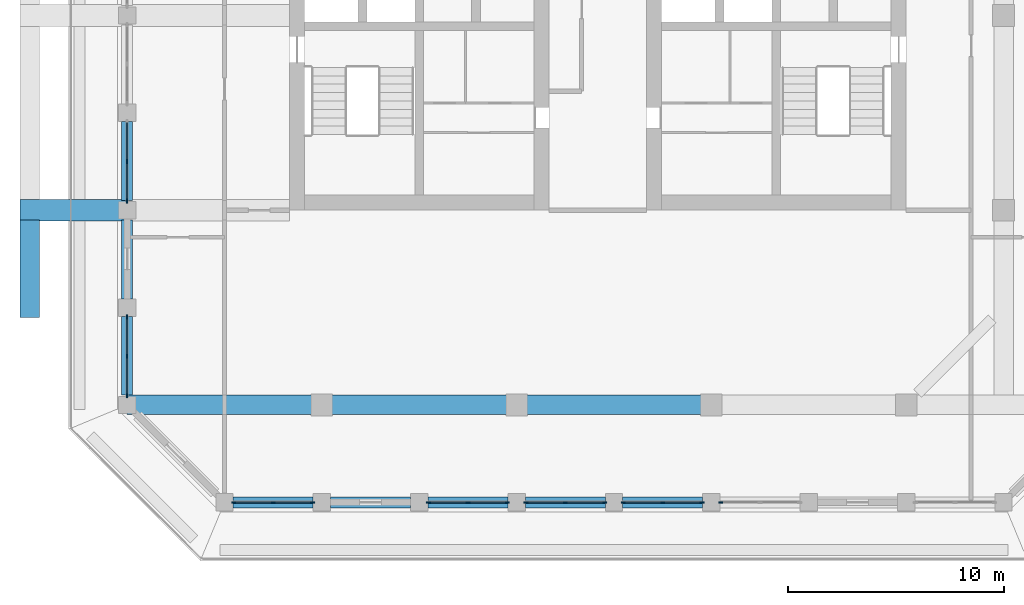
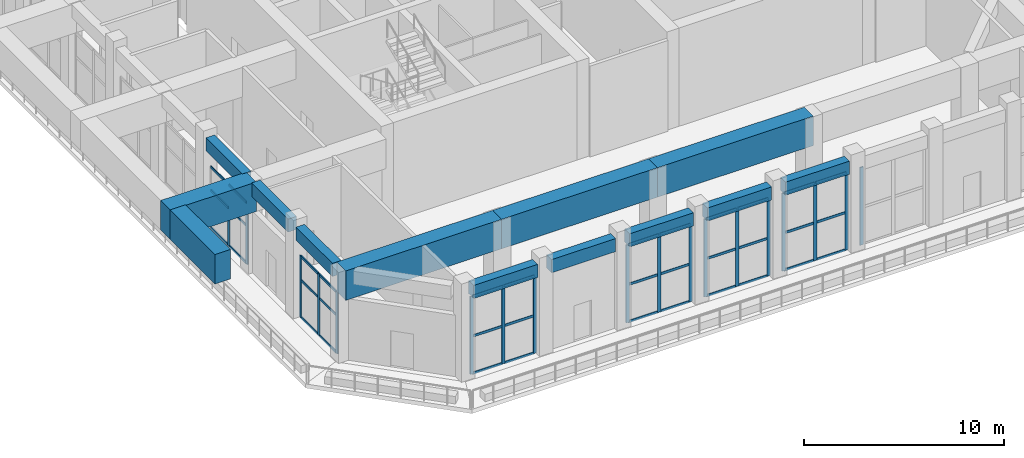
# One storey, part 2 of 25: 54 members, 13 beams, 7 elements without a shape of their own.
"""IFC4 building model written with IfcOpenShell, lengths in metres."""

from ifc_helpers import new_model, si_unit, direction, frame, origin, origin_2d, place, context, subcontext, project, spatial, rectangle, extrude, material, material_profile, profile_set, type_object, element, aggregate, save


model = new_model("IFC4")

# Units and contexts
model_context = context("Model", 3, precision=1e-05, world=origin(), true_north=direction((0.0, 1.0)))
body_context = subcontext(model_context, "Body", "Model", "MODEL_VIEW")
ifc_project = project(units=[si_unit("LENGTHUNIT", "METRE"), si_unit("AREAUNIT", "SQUARE_METRE"), si_unit("VOLUMEUNIT", "CUBIC_METRE"), si_unit("PLANEANGLEUNIT", "RADIAN"), si_unit("MASSUNIT", "GRAM", prefix="KILO")], contexts=[model_context])

# Site, building, storey
site_placement = place(None, origin())
site = spatial("IfcSite", under=ifc_project, at=site_placement, CompositionType="ELEMENT")
building_placement = place(site_placement, origin())
building = spatial("IfcBuilding", under=site, at=building_placement, Name="Corbel Stack Research Tower", CompositionType="ELEMENT")
storey_placement = place(building_placement, frame((0.0, 0.0, 260.300048828125)))
storey = spatial("IfcBuildingStorey", under=building, at=storey_placement, Name="L59", CompositionType="ELEMENT", Elevation=260.300048828125)

# Curtain wall, members
ifc_material_1 = material(Name="Aluminium frame, clear glass", Category="aluminium")
curtain_wall_type = type_object("IfcCurtainWallType", Name="Upper amenity floor curtain wall CW3", PredefinedType="NOTDEFINED", material=ifc_material_1)
curtain_wall_1_placement = place(storey_placement, origin())
curtain_wall_1 = element("IfcCurtainWall", 1, at=curtain_wall_1_placement, inside=storey, type_object=curtain_wall_type, Name="Curtain wall CW3 L59 S01", PredefinedType="NOTDEFINED")
ifc_material_2 = material(Name="Aluminium mullion", Category="aluminium")
ifc_material_profile_1 = material_profile(ifc_material_2, rectangle(XDim=0.06005859375, YDim=0.199951171875, at=origin_2d()), Name="Mullion 60 x 200")
ifc_profile_set_1 = profile_set([ifc_material_profile_1], Name="Aluminium mullion")
member_type_1 = type_object("IfcMemberType", Name="Curtain wall mullion 60 x 200", PredefinedType="MULLION", material=ifc_profile_set_1)
member_1_placement = place(storey_placement, frame((-13.070068359375, -22.5, 0.0), z_axis=(0.0, 0.0, 1.0), x_axis=(0.0, 1.0, 0.0)))
member_1 = element("IfcMember", 2, at=member_1_placement, type_object=member_type_1, Name="CW3 mullion 1", PredefinedType="MULLION", context=body_context, shape_type="SweptSolid", body=[
    extrude(rectangle(XDim=0.06005859375, YDim=0.199951171875, at=origin_2d()), origin(), (0.0, 0.0, 1.0), 4.75),
])
member_2_placement = place(storey_placement, frame((-11.25, -22.5, 0.0), z_axis=(0.0, 0.0, 1.0), x_axis=(0.0, 1.0, 0.0)))
member_2 = element("IfcMember", 3, at=member_2_placement, type_object=member_type_1, Name="CW3 mullion 2", PredefinedType="MULLION", context=body_context, shape_type="SweptSolid", body=[
    extrude(rectangle(XDim=0.06005859375, YDim=0.199951171875, at=origin_2d()), origin(), (0.0, 0.0, 1.0), 4.75),
])
member_3_placement = place(storey_placement, frame((-9.429931640625, -22.5, 0.0), z_axis=(0.0, 0.0, 1.0), x_axis=(0.0, 1.0, 0.0)))
member_3 = element("IfcMember", 4, at=member_3_placement, type_object=member_type_1, Name="CW3 mullion 3", PredefinedType="MULLION", context=body_context, shape_type="SweptSolid", body=[
    extrude(rectangle(XDim=0.06005859375, YDim=0.199951171875, at=origin_2d()), origin(), (0.0, 0.0, 1.0), 4.75),
])

curtain_wall_2_placement = place(storey_placement, origin())
curtain_wall_2 = element("IfcCurtainWall", 5, at=curtain_wall_2_placement, inside=storey, type_object=curtain_wall_type, Name="Curtain wall CW3 L59 S03", PredefinedType="NOTDEFINED")
member_4_placement = place(storey_placement, frame((-4.070068359375, -22.5, 0.0), z_axis=(0.0, 0.0, 1.0), x_axis=(0.0, 1.0, 0.0)))
member_4 = element("IfcMember", 6, at=member_4_placement, type_object=member_type_1, Name="CW3 mullion 1", PredefinedType="MULLION", context=body_context, shape_type="SweptSolid", body=[
    extrude(rectangle(XDim=0.06005859375, YDim=0.199951171875, at=origin_2d()), origin(), (0.0, 0.0, 1.0), 4.75),
])
member_5_placement = place(storey_placement, frame((-2.25, -22.5, 0.0), z_axis=(0.0, 0.0, 1.0), x_axis=(0.0, 1.0, 0.0)))
member_5 = element("IfcMember", 7, at=member_5_placement, type_object=member_type_1, Name="CW3 mullion 2", PredefinedType="MULLION", context=body_context, shape_type="SweptSolid", body=[
    extrude(rectangle(XDim=0.06005859375, YDim=0.199951171875, at=origin_2d()), origin(), (0.0, 0.0, 1.0), 4.75),
])
member_6_placement = place(storey_placement, frame((-0.429931640625, -22.5, 0.0), z_axis=(0.0, 0.0, 1.0), x_axis=(0.0, 1.0, 0.0)))
member_6 = element("IfcMember", 8, at=member_6_placement, type_object=member_type_1, Name="CW3 mullion 3", PredefinedType="MULLION", context=body_context, shape_type="SweptSolid", body=[
    extrude(rectangle(XDim=0.06005859375, YDim=0.199951171875, at=origin_2d()), origin(), (0.0, 0.0, 1.0), 4.75),
])

curtain_wall_3_placement = place(storey_placement, origin())
curtain_wall_3 = element("IfcCurtainWall", 9, at=curtain_wall_3_placement, inside=storey, type_object=curtain_wall_type, Name="Curtain wall CW3 L59 S04", PredefinedType="NOTDEFINED")
member_7_placement = place(storey_placement, frame((0.429931640625, -22.5, 0.0), z_axis=(0.0, 0.0, 1.0), x_axis=(0.0, 1.0, 0.0)))
member_7 = element("IfcMember", 10, at=member_7_placement, type_object=member_type_1, Name="CW3 mullion 1", PredefinedType="MULLION", context=body_context, shape_type="SweptSolid", body=[
    extrude(rectangle(XDim=0.06005859375, YDim=0.199951171875, at=origin_2d()), origin(), (0.0, 0.0, 1.0), 4.75),
])
member_8_placement = place(storey_placement, frame((2.25, -22.5, 0.0), z_axis=(0.0, 0.0, 1.0), x_axis=(0.0, 1.0, 0.0)))
member_8 = element("IfcMember", 11, at=member_8_placement, type_object=member_type_1, Name="CW3 mullion 2", PredefinedType="MULLION", context=body_context, shape_type="SweptSolid", body=[
    extrude(rectangle(XDim=0.06005859375, YDim=0.199951171875, at=origin_2d()), origin(), (0.0, 0.0, 1.0), 4.75),
])
member_9_placement = place(storey_placement, frame((4.070068359375, -22.5, 0.0), z_axis=(0.0, 0.0, 1.0), x_axis=(0.0, 1.0, 0.0)))
member_9 = element("IfcMember", 12, at=member_9_placement, type_object=member_type_1, Name="CW3 mullion 3", PredefinedType="MULLION", context=body_context, shape_type="SweptSolid", body=[
    extrude(rectangle(XDim=0.06005859375, YDim=0.199951171875, at=origin_2d()), origin(), (0.0, 0.0, 1.0), 4.75),
])

curtain_wall_4_placement = place(storey_placement, origin())
curtain_wall_4 = element("IfcCurtainWall", 13, at=curtain_wall_4_placement, inside=storey, type_object=curtain_wall_type, Name="Curtain wall CW3 L59 S05", PredefinedType="NOTDEFINED")
member_10_placement = place(storey_placement, frame((4.929931640625, -22.5, 0.0), z_axis=(0.0, 0.0, 1.0), x_axis=(0.0, 1.0, 0.0)))
member_10 = element("IfcMember", 14, at=member_10_placement, type_object=member_type_1, Name="CW3 mullion 1", PredefinedType="MULLION", context=body_context, shape_type="SweptSolid", body=[
    extrude(rectangle(XDim=0.06005859375, YDim=0.199951171875, at=origin_2d()), origin(), (0.0, 0.0, 1.0), 4.75),
])
member_11_placement = place(storey_placement, frame((6.75, -22.5, 0.0), z_axis=(0.0, 0.0, 1.0), x_axis=(0.0, 1.0, 0.0)))
member_11 = element("IfcMember", 15, at=member_11_placement, type_object=member_type_1, Name="CW3 mullion 2", PredefinedType="MULLION", context=body_context, shape_type="SweptSolid", body=[
    extrude(rectangle(XDim=0.06005859375, YDim=0.199951171875, at=origin_2d()), origin(), (0.0, 0.0, 1.0), 4.75),
])
member_12_placement = place(storey_placement, frame((8.570068359375, -22.5, 0.0), z_axis=(0.0, 0.0, 1.0), x_axis=(0.0, 1.0, 0.0)))
member_12 = element("IfcMember", 16, at=member_12_placement, type_object=member_type_1, Name="CW3 mullion 3", PredefinedType="MULLION", context=body_context, shape_type="SweptSolid", body=[
    extrude(rectangle(XDim=0.06005859375, YDim=0.199951171875, at=origin_2d()), origin(), (0.0, 0.0, 1.0), 4.75),
])

# Curtain wall, member
curtain_wall_5_placement = place(storey_placement, origin())
curtain_wall_5 = element("IfcCurtainWall", 17, at=curtain_wall_5_placement, inside=storey, type_object=curtain_wall_type, Name="Curtain wall CW3 L59 S06", PredefinedType="NOTDEFINED")
member_13_placement = place(storey_placement, frame((9.429931640625, -22.5, 0.0), z_axis=(0.0, 0.0, 1.0), x_axis=(0.0, 1.0, 0.0)))
member_13 = element("IfcMember", 18, at=member_13_placement, type_object=member_type_1, Name="CW3 mullion 1", PredefinedType="MULLION", context=body_context, shape_type="SweptSolid", body=[
    extrude(rectangle(XDim=0.06005859375, YDim=0.199951171875, at=origin_2d()), origin(), (0.0, 0.0, 1.0), 4.75),
])
aggregate(curtain_wall_5, [member_13])

# Curtain wall, members
curtain_wall_6_placement = place(storey_placement, origin())
curtain_wall_6 = element("IfcCurtainWall", 19, at=curtain_wall_6_placement, inside=storey, type_object=curtain_wall_type, Name="Curtain wall CW3 L59 W08", PredefinedType="NOTDEFINED")
member_14_placement = place(storey_placement, frame((-18.0, -6.75, 0.0), z_axis=(0.0, 0.0, 1.0), x_axis=(1.0, 0.0, 0.0)))
member_14 = element("IfcMember", 20, at=member_14_placement, type_object=member_type_1, Name="CW3 mullion 2", PredefinedType="MULLION", context=body_context, shape_type="SweptSolid", body=[
    extrude(rectangle(XDim=0.06005859375, YDim=0.199951171875, at=origin_2d()), origin(), (0.0, 0.0, 1.0), 3.75),
])
member_15_placement = place(storey_placement, frame((-18.0, -8.570068359375, 0.0), z_axis=(0.0, 0.0, 1.0), x_axis=(1.0, 0.0, 0.0)))
member_15 = element("IfcMember", 21, at=member_15_placement, type_object=member_type_1, Name="CW3 mullion 3", PredefinedType="MULLION", context=body_context, shape_type="SweptSolid", body=[
    extrude(rectangle(XDim=0.06005859375, YDim=0.199951171875, at=origin_2d()), origin(), (0.0, 0.0, 1.0), 3.75),
])

curtain_wall_7_placement = place(storey_placement, origin())
curtain_wall_7 = element("IfcCurtainWall", 22, at=curtain_wall_7_placement, inside=storey, type_object=curtain_wall_type, Name="Curtain wall CW3 L59 W10", PredefinedType="NOTDEFINED")
member_16_placement = place(storey_placement, frame((-18.0, -13.929931640625, 0.0), z_axis=(0.0, 0.0, 1.0), x_axis=(1.0, 0.0, 0.0)))
member_16 = element("IfcMember", 23, at=member_16_placement, type_object=member_type_1, Name="CW3 mullion 1", PredefinedType="MULLION", context=body_context, shape_type="SweptSolid", body=[
    extrude(rectangle(XDim=0.06005859375, YDim=0.199951171875, at=origin_2d()), origin(), (0.0, 0.0, 1.0), 3.75),
])
member_17_placement = place(storey_placement, frame((-18.0, -15.75, 0.0), z_axis=(0.0, 0.0, 1.0), x_axis=(1.0, 0.0, 0.0)))
member_17 = element("IfcMember", 24, at=member_17_placement, type_object=member_type_1, Name="CW3 mullion 2", PredefinedType="MULLION", context=body_context, shape_type="SweptSolid", body=[
    extrude(rectangle(XDim=0.06005859375, YDim=0.199951171875, at=origin_2d()), origin(), (0.0, 0.0, 1.0), 3.75),
])
member_18_placement = place(storey_placement, frame((-18.0, -17.570068359375, 0.0), z_axis=(0.0, 0.0, 1.0), x_axis=(1.0, 0.0, 0.0)))
member_18 = element("IfcMember", 25, at=member_18_placement, type_object=member_type_1, Name="CW3 mullion 3", PredefinedType="MULLION", context=body_context, shape_type="SweptSolid", body=[
    extrude(rectangle(XDim=0.06005859375, YDim=0.199951171875, at=origin_2d()), origin(), (0.0, 0.0, 1.0), 3.75),
])

# Member
ifc_material_3 = material(Name="Aluminium transom", Category="aluminium")
ifc_material_profile_2 = material_profile(ifc_material_3, rectangle(XDim=0.06005859375, YDim=0.14990234375, at=origin_2d()), Name="Transom 60 x 150")
ifc_profile_set_2 = profile_set([ifc_material_profile_2], Name="Aluminium transom")
member_type_2 = type_object("IfcMemberType", Name="Curtain wall transom 60 x 150", PredefinedType="USERDEFINED", material=ifc_profile_set_2)
member_19_placement = place(storey_placement, frame((-13.0400390625, -22.5, 0.030029296875), z_axis=(1.0, 0.0, 0.0), x_axis=(0.0, 1.0, 0.0)))
member_19 = element("IfcMember", 26, at=member_19_placement, type_object=member_type_2, Name="CW3 transom 1.1", ObjectType="TRANSOM", PredefinedType="USERDEFINED", context=body_context, shape_type="SweptSolid", body=[
    extrude(rectangle(XDim=0.06005859375, YDim=0.14990234375, at=origin_2d()), origin(), (0.0, 0.0, 1.0), 1.760009765625),
])

member_20_placement = place(storey_placement, frame((-13.0400390625, -22.5, 2.300048828125), z_axis=(1.0, 0.0, 0.0), x_axis=(0.0, 1.0, 0.0)))
member_20 = element("IfcMember", 27, at=member_20_placement, type_object=member_type_2, Name="CW3 transom 1.2", ObjectType="TRANSOM", PredefinedType="USERDEFINED", context=body_context, shape_type="SweptSolid", body=[
    extrude(rectangle(XDim=0.06005859375, YDim=0.14990234375, at=origin_2d()), origin(), (0.0, 0.0, 1.0), 1.760009765625),
])

member_21_placement = place(storey_placement, frame((-13.0400390625, -22.5, 4.719970703125), z_axis=(1.0, 0.0, 0.0), x_axis=(0.0, 1.0, 0.0)))
member_21 = element("IfcMember", 28, at=member_21_placement, type_object=member_type_2, Name="CW3 transom 1.3", ObjectType="TRANSOM", PredefinedType="USERDEFINED", context=body_context, shape_type="SweptSolid", body=[
    extrude(rectangle(XDim=0.06005859375, YDim=0.14990234375, at=origin_2d()), origin(), (0.0, 0.0, 1.0), 1.760009765625),
])

member_22_placement = place(storey_placement, frame((-11.219970703125, -22.5, 0.030029296875), z_axis=(1.0, 0.0, 0.0), x_axis=(0.0, 1.0, 0.0)))
member_22 = element("IfcMember", 29, at=member_22_placement, type_object=member_type_2, Name="CW3 transom 2.1", ObjectType="TRANSOM", PredefinedType="USERDEFINED", context=body_context, shape_type="SweptSolid", body=[
    extrude(rectangle(XDim=0.06005859375, YDim=0.14990234375, at=origin_2d()), origin(), (0.0, 0.0, 1.0), 1.760009765625),
])

member_23_placement = place(storey_placement, frame((-11.219970703125, -22.5, 2.300048828125), z_axis=(1.0, 0.0, 0.0), x_axis=(0.0, 1.0, 0.0)))
member_23 = element("IfcMember", 30, at=member_23_placement, type_object=member_type_2, Name="CW3 transom 2.2", ObjectType="TRANSOM", PredefinedType="USERDEFINED", context=body_context, shape_type="SweptSolid", body=[
    extrude(rectangle(XDim=0.06005859375, YDim=0.14990234375, at=origin_2d()), origin(), (0.0, 0.0, 1.0), 1.760009765625),
])

member_24_placement = place(storey_placement, frame((-11.219970703125, -22.5, 4.719970703125), z_axis=(1.0, 0.0, 0.0), x_axis=(0.0, 1.0, 0.0)))
member_24 = element("IfcMember", 31, at=member_24_placement, type_object=member_type_2, Name="CW3 transom 2.3", ObjectType="TRANSOM", PredefinedType="USERDEFINED", context=body_context, shape_type="SweptSolid", body=[
    extrude(rectangle(XDim=0.06005859375, YDim=0.14990234375, at=origin_2d()), origin(), (0.0, 0.0, 1.0), 1.760009765625),
])

aggregate(curtain_wall_1, [member_1, member_2, member_3, member_19, member_20, member_21, member_22, member_23, member_24])

member_25_placement = place(storey_placement, frame((-4.0400390625, -22.5, 0.030029296875), z_axis=(1.0, 0.0, 0.0), x_axis=(0.0, 1.0, 0.0)))
member_25 = element("IfcMember", 32, at=member_25_placement, type_object=member_type_2, Name="CW3 transom 1.1", ObjectType="TRANSOM", PredefinedType="USERDEFINED", context=body_context, shape_type="SweptSolid", body=[
    extrude(rectangle(XDim=0.06005859375, YDim=0.14990234375, at=origin_2d()), origin(), (0.0, 0.0, 1.0), 1.760009765625),
])

member_26_placement = place(storey_placement, frame((-4.0400390625, -22.5, 2.300048828125), z_axis=(1.0, 0.0, 0.0), x_axis=(0.0, 1.0, 0.0)))
member_26 = element("IfcMember", 33, at=member_26_placement, type_object=member_type_2, Name="CW3 transom 1.2", ObjectType="TRANSOM", PredefinedType="USERDEFINED", context=body_context, shape_type="SweptSolid", body=[
    extrude(rectangle(XDim=0.06005859375, YDim=0.14990234375, at=origin_2d()), origin(), (0.0, 0.0, 1.0), 1.760009765625),
])

member_27_placement = place(storey_placement, frame((-4.0400390625, -22.5, 4.719970703125), z_axis=(1.0, 0.0, 0.0), x_axis=(0.0, 1.0, 0.0)))
member_27 = element("IfcMember", 34, at=member_27_placement, type_object=member_type_2, Name="CW3 transom 1.3", ObjectType="TRANSOM", PredefinedType="USERDEFINED", context=body_context, shape_type="SweptSolid", body=[
    extrude(rectangle(XDim=0.06005859375, YDim=0.14990234375, at=origin_2d()), origin(), (0.0, 0.0, 1.0), 1.760009765625),
])

member_28_placement = place(storey_placement, frame((-2.219970703125, -22.5, 0.030029296875), z_axis=(1.0, 0.0, 0.0), x_axis=(0.0, 1.0, 0.0)))
member_28 = element("IfcMember", 35, at=member_28_placement, type_object=member_type_2, Name="CW3 transom 2.1", ObjectType="TRANSOM", PredefinedType="USERDEFINED", context=body_context, shape_type="SweptSolid", body=[
    extrude(rectangle(XDim=0.06005859375, YDim=0.14990234375, at=origin_2d()), origin(), (0.0, 0.0, 1.0), 1.760009765625),
])

member_29_placement = place(storey_placement, frame((-2.219970703125, -22.5, 2.300048828125), z_axis=(1.0, 0.0, 0.0), x_axis=(0.0, 1.0, 0.0)))
member_29 = element("IfcMember", 36, at=member_29_placement, type_object=member_type_2, Name="CW3 transom 2.2", ObjectType="TRANSOM", PredefinedType="USERDEFINED", context=body_context, shape_type="SweptSolid", body=[
    extrude(rectangle(XDim=0.06005859375, YDim=0.14990234375, at=origin_2d()), origin(), (0.0, 0.0, 1.0), 1.760009765625),
])

member_30_placement = place(storey_placement, frame((-2.219970703125, -22.5, 4.719970703125), z_axis=(1.0, 0.0, 0.0), x_axis=(0.0, 1.0, 0.0)))
member_30 = element("IfcMember", 37, at=member_30_placement, type_object=member_type_2, Name="CW3 transom 2.3", ObjectType="TRANSOM", PredefinedType="USERDEFINED", context=body_context, shape_type="SweptSolid", body=[
    extrude(rectangle(XDim=0.06005859375, YDim=0.14990234375, at=origin_2d()), origin(), (0.0, 0.0, 1.0), 1.760009765625),
])

aggregate(curtain_wall_2, [member_4, member_5, member_6, member_25, member_26, member_27, member_28, member_29, member_30])

member_31_placement = place(storey_placement, frame((0.4599609375, -22.5, 0.030029296875), z_axis=(1.0, 0.0, 0.0), x_axis=(0.0, 1.0, 0.0)))
member_31 = element("IfcMember", 38, at=member_31_placement, type_object=member_type_2, Name="CW3 transom 1.1", ObjectType="TRANSOM", PredefinedType="USERDEFINED", context=body_context, shape_type="SweptSolid", body=[
    extrude(rectangle(XDim=0.06005859375, YDim=0.14990234375, at=origin_2d()), origin(), (0.0, 0.0, 1.0), 1.760009765625),
])

member_32_placement = place(storey_placement, frame((0.4599609375, -22.5, 2.300048828125), z_axis=(1.0, 0.0, 0.0), x_axis=(0.0, 1.0, 0.0)))
member_32 = element("IfcMember", 39, at=member_32_placement, type_object=member_type_2, Name="CW3 transom 1.2", ObjectType="TRANSOM", PredefinedType="USERDEFINED", context=body_context, shape_type="SweptSolid", body=[
    extrude(rectangle(XDim=0.06005859375, YDim=0.14990234375, at=origin_2d()), origin(), (0.0, 0.0, 1.0), 1.760009765625),
])

member_33_placement = place(storey_placement, frame((0.4599609375, -22.5, 4.719970703125), z_axis=(1.0, 0.0, 0.0), x_axis=(0.0, 1.0, 0.0)))
member_33 = element("IfcMember", 40, at=member_33_placement, type_object=member_type_2, Name="CW3 transom 1.3", ObjectType="TRANSOM", PredefinedType="USERDEFINED", context=body_context, shape_type="SweptSolid", body=[
    extrude(rectangle(XDim=0.06005859375, YDim=0.14990234375, at=origin_2d()), origin(), (0.0, 0.0, 1.0), 1.760009765625),
])

member_34_placement = place(storey_placement, frame((2.280029296875, -22.5, 0.030029296875), z_axis=(1.0, 0.0, 0.0), x_axis=(0.0, 1.0, 0.0)))
member_34 = element("IfcMember", 41, at=member_34_placement, type_object=member_type_2, Name="CW3 transom 2.1", ObjectType="TRANSOM", PredefinedType="USERDEFINED", context=body_context, shape_type="SweptSolid", body=[
    extrude(rectangle(XDim=0.06005859375, YDim=0.14990234375, at=origin_2d()), origin(), (0.0, 0.0, 1.0), 1.760009765625),
])

member_35_placement = place(storey_placement, frame((2.280029296875, -22.5, 2.300048828125), z_axis=(1.0, 0.0, 0.0), x_axis=(0.0, 1.0, 0.0)))
member_35 = element("IfcMember", 42, at=member_35_placement, type_object=member_type_2, Name="CW3 transom 2.2", ObjectType="TRANSOM", PredefinedType="USERDEFINED", context=body_context, shape_type="SweptSolid", body=[
    extrude(rectangle(XDim=0.06005859375, YDim=0.14990234375, at=origin_2d()), origin(), (0.0, 0.0, 1.0), 1.760009765625),
])

member_36_placement = place(storey_placement, frame((2.280029296875, -22.5, 4.719970703125), z_axis=(1.0, 0.0, 0.0), x_axis=(0.0, 1.0, 0.0)))
member_36 = element("IfcMember", 43, at=member_36_placement, type_object=member_type_2, Name="CW3 transom 2.3", ObjectType="TRANSOM", PredefinedType="USERDEFINED", context=body_context, shape_type="SweptSolid", body=[
    extrude(rectangle(XDim=0.06005859375, YDim=0.14990234375, at=origin_2d()), origin(), (0.0, 0.0, 1.0), 1.760009765625),
])

aggregate(curtain_wall_3, [member_7, member_8, member_9, member_31, member_32, member_33, member_34, member_35, member_36])

member_37_placement = place(storey_placement, frame((4.9599609375, -22.5, 0.030029296875), z_axis=(1.0, 0.0, 0.0), x_axis=(0.0, 1.0, 0.0)))
member_37 = element("IfcMember", 44, at=member_37_placement, type_object=member_type_2, Name="CW3 transom 1.1", ObjectType="TRANSOM", PredefinedType="USERDEFINED", context=body_context, shape_type="SweptSolid", body=[
    extrude(rectangle(XDim=0.06005859375, YDim=0.14990234375, at=origin_2d()), origin(), (0.0, 0.0, 1.0), 1.760009765625),
])

member_38_placement = place(storey_placement, frame((4.9599609375, -22.5, 2.300048828125), z_axis=(1.0, 0.0, 0.0), x_axis=(0.0, 1.0, 0.0)))
member_38 = element("IfcMember", 45, at=member_38_placement, type_object=member_type_2, Name="CW3 transom 1.2", ObjectType="TRANSOM", PredefinedType="USERDEFINED", context=body_context, shape_type="SweptSolid", body=[
    extrude(rectangle(XDim=0.06005859375, YDim=0.14990234375, at=origin_2d()), origin(), (0.0, 0.0, 1.0), 1.760009765625),
])

member_39_placement = place(storey_placement, frame((4.9599609375, -22.5, 4.719970703125), z_axis=(1.0, 0.0, 0.0), x_axis=(0.0, 1.0, 0.0)))
member_39 = element("IfcMember", 46, at=member_39_placement, type_object=member_type_2, Name="CW3 transom 1.3", ObjectType="TRANSOM", PredefinedType="USERDEFINED", context=body_context, shape_type="SweptSolid", body=[
    extrude(rectangle(XDim=0.06005859375, YDim=0.14990234375, at=origin_2d()), origin(), (0.0, 0.0, 1.0), 1.760009765625),
])

member_40_placement = place(storey_placement, frame((6.780029296875, -22.5, 0.030029296875), z_axis=(1.0, 0.0, 0.0), x_axis=(0.0, 1.0, 0.0)))
member_40 = element("IfcMember", 47, at=member_40_placement, type_object=member_type_2, Name="CW3 transom 2.1", ObjectType="TRANSOM", PredefinedType="USERDEFINED", context=body_context, shape_type="SweptSolid", body=[
    extrude(rectangle(XDim=0.06005859375, YDim=0.14990234375, at=origin_2d()), origin(), (0.0, 0.0, 1.0), 1.760009765625),
])

member_41_placement = place(storey_placement, frame((6.780029296875, -22.5, 2.300048828125), z_axis=(1.0, 0.0, 0.0), x_axis=(0.0, 1.0, 0.0)))
member_41 = element("IfcMember", 48, at=member_41_placement, type_object=member_type_2, Name="CW3 transom 2.2", ObjectType="TRANSOM", PredefinedType="USERDEFINED", context=body_context, shape_type="SweptSolid", body=[
    extrude(rectangle(XDim=0.06005859375, YDim=0.14990234375, at=origin_2d()), origin(), (0.0, 0.0, 1.0), 1.760009765625),
])

member_42_placement = place(storey_placement, frame((6.780029296875, -22.5, 4.719970703125), z_axis=(1.0, 0.0, 0.0), x_axis=(0.0, 1.0, 0.0)))
member_42 = element("IfcMember", 49, at=member_42_placement, type_object=member_type_2, Name="CW3 transom 2.3", ObjectType="TRANSOM", PredefinedType="USERDEFINED", context=body_context, shape_type="SweptSolid", body=[
    extrude(rectangle(XDim=0.06005859375, YDim=0.14990234375, at=origin_2d()), origin(), (0.0, 0.0, 1.0), 1.760009765625),
])

aggregate(curtain_wall_4, [member_10, member_11, member_12, member_37, member_38, member_39, member_40, member_41, member_42])

member_43_placement = place(storey_placement, frame((-18.0, -4.9599609375, 0.030029296875), z_axis=(0.0, -1.0, 0.0), x_axis=(1.0, 0.0, 0.0)))
member_43 = element("IfcMember", 50, at=member_43_placement, type_object=member_type_2, Name="CW3 transom 1.1", ObjectType="TRANSOM", PredefinedType="USERDEFINED", context=body_context, shape_type="SweptSolid", body=[
    extrude(rectangle(XDim=0.06005859375, YDim=0.14990234375, at=origin_2d()), origin(), (0.0, 0.0, 1.0), 1.760009765625),
])

member_44_placement = place(storey_placement, frame((-18.0, -4.9599609375, 2.300048828125), z_axis=(0.0, -1.0, 0.0), x_axis=(1.0, 0.0, 0.0)))
member_44 = element("IfcMember", 51, at=member_44_placement, type_object=member_type_2, Name="CW3 transom 1.2", ObjectType="TRANSOM", PredefinedType="USERDEFINED", context=body_context, shape_type="SweptSolid", body=[
    extrude(rectangle(XDim=0.06005859375, YDim=0.14990234375, at=origin_2d()), origin(), (0.0, 0.0, 1.0), 1.760009765625),
])

member_45_placement = place(storey_placement, frame((-18.0, -4.9599609375, 3.719970703125), z_axis=(0.0, -1.0, 0.0), x_axis=(1.0, 0.0, 0.0)))
member_45 = element("IfcMember", 52, at=member_45_placement, type_object=member_type_2, Name="CW3 transom 1.3", ObjectType="TRANSOM", PredefinedType="USERDEFINED", context=body_context, shape_type="SweptSolid", body=[
    extrude(rectangle(XDim=0.06005859375, YDim=0.14990234375, at=origin_2d()), origin(), (0.0, 0.0, 1.0), 1.760009765625),
])

member_46_placement = place(storey_placement, frame((-18.0, -6.780029296875, 0.030029296875), z_axis=(0.0, -1.0, 0.0), x_axis=(1.0, 0.0, 0.0)))
member_46 = element("IfcMember", 53, at=member_46_placement, type_object=member_type_2, Name="CW3 transom 2.1", ObjectType="TRANSOM", PredefinedType="USERDEFINED", context=body_context, shape_type="SweptSolid", body=[
    extrude(rectangle(XDim=0.06005859375, YDim=0.14990234375, at=origin_2d()), origin(), (0.0, 0.0, 1.0), 1.760009765625),
])

member_47_placement = place(storey_placement, frame((-18.0, -6.780029296875, 2.300048828125), z_axis=(0.0, -1.0, 0.0), x_axis=(1.0, 0.0, 0.0)))
member_47 = element("IfcMember", 54, at=member_47_placement, type_object=member_type_2, Name="CW3 transom 2.2", ObjectType="TRANSOM", PredefinedType="USERDEFINED", context=body_context, shape_type="SweptSolid", body=[
    extrude(rectangle(XDim=0.06005859375, YDim=0.14990234375, at=origin_2d()), origin(), (0.0, 0.0, 1.0), 1.760009765625),
])

member_48_placement = place(storey_placement, frame((-18.0, -6.780029296875, 3.719970703125), z_axis=(0.0, -1.0, 0.0), x_axis=(1.0, 0.0, 0.0)))
member_48 = element("IfcMember", 55, at=member_48_placement, type_object=member_type_2, Name="CW3 transom 2.3", ObjectType="TRANSOM", PredefinedType="USERDEFINED", context=body_context, shape_type="SweptSolid", body=[
    extrude(rectangle(XDim=0.06005859375, YDim=0.14990234375, at=origin_2d()), origin(), (0.0, 0.0, 1.0), 1.760009765625),
])

aggregate(curtain_wall_6, [member_14, member_15, member_43, member_44, member_45, member_46, member_47, member_48])

member_49_placement = place(storey_placement, frame((-18.0, -13.9599609375, 0.030029296875), z_axis=(0.0, -1.0, 0.0), x_axis=(1.0, 0.0, 0.0)))
member_49 = element("IfcMember", 56, at=member_49_placement, type_object=member_type_2, Name="CW3 transom 1.1", ObjectType="TRANSOM", PredefinedType="USERDEFINED", context=body_context, shape_type="SweptSolid", body=[
    extrude(rectangle(XDim=0.06005859375, YDim=0.14990234375, at=origin_2d()), origin(), (0.0, 0.0, 1.0), 1.760009765625),
])

member_50_placement = place(storey_placement, frame((-18.0, -13.9599609375, 2.300048828125), z_axis=(0.0, -1.0, 0.0), x_axis=(1.0, 0.0, 0.0)))
member_50 = element("IfcMember", 57, at=member_50_placement, type_object=member_type_2, Name="CW3 transom 1.2", ObjectType="TRANSOM", PredefinedType="USERDEFINED", context=body_context, shape_type="SweptSolid", body=[
    extrude(rectangle(XDim=0.06005859375, YDim=0.14990234375, at=origin_2d()), origin(), (0.0, 0.0, 1.0), 1.760009765625),
])

member_51_placement = place(storey_placement, frame((-18.0, -13.9599609375, 3.719970703125), z_axis=(0.0, -1.0, 0.0), x_axis=(1.0, 0.0, 0.0)))
member_51 = element("IfcMember", 58, at=member_51_placement, type_object=member_type_2, Name="CW3 transom 1.3", ObjectType="TRANSOM", PredefinedType="USERDEFINED", context=body_context, shape_type="SweptSolid", body=[
    extrude(rectangle(XDim=0.06005859375, YDim=0.14990234375, at=origin_2d()), origin(), (0.0, 0.0, 1.0), 1.760009765625),
])

member_52_placement = place(storey_placement, frame((-18.0, -15.780029296875, 0.030029296875), z_axis=(0.0, -1.0, 0.0), x_axis=(1.0, 0.0, 0.0)))
member_52 = element("IfcMember", 59, at=member_52_placement, type_object=member_type_2, Name="CW3 transom 2.1", ObjectType="TRANSOM", PredefinedType="USERDEFINED", context=body_context, shape_type="SweptSolid", body=[
    extrude(rectangle(XDim=0.06005859375, YDim=0.14990234375, at=origin_2d()), origin(), (0.0, 0.0, 1.0), 1.760009765625),
])

member_53_placement = place(storey_placement, frame((-18.0, -15.780029296875, 2.300048828125), z_axis=(0.0, -1.0, 0.0), x_axis=(1.0, 0.0, 0.0)))
member_53 = element("IfcMember", 60, at=member_53_placement, type_object=member_type_2, Name="CW3 transom 2.2", ObjectType="TRANSOM", PredefinedType="USERDEFINED", context=body_context, shape_type="SweptSolid", body=[
    extrude(rectangle(XDim=0.06005859375, YDim=0.14990234375, at=origin_2d()), origin(), (0.0, 0.0, 1.0), 1.760009765625),
])

member_54_placement = place(storey_placement, frame((-18.0, -15.780029296875, 3.719970703125), z_axis=(0.0, -1.0, 0.0), x_axis=(1.0, 0.0, 0.0)))
member_54 = element("IfcMember", 61, at=member_54_placement, type_object=member_type_2, Name="CW3 transom 2.3", ObjectType="TRANSOM", PredefinedType="USERDEFINED", context=body_context, shape_type="SweptSolid", body=[
    extrude(rectangle(XDim=0.06005859375, YDim=0.14990234375, at=origin_2d()), origin(), (0.0, 0.0, 1.0), 1.760009765625),
])

aggregate(curtain_wall_7, [member_16, member_17, member_18, member_49, member_50, member_51, member_52, member_53, member_54])

# Beams
ifc_material_4 = material(Name="Concrete C60/75", Category="concrete")
ifc_material_profile_3 = material_profile(ifc_material_4, rectangle(XDim=0.5, YDim=0.800048828125, at=origin_2d()), Name="RC 500 x 800")
ifc_profile_set_3 = profile_set([ifc_material_profile_3], Name="Concrete C60/75")
beam_type_1 = type_object("IfcBeamType", Name="SB-500-800-450", PredefinedType="SPANDREL", material=ifc_profile_set_3)
for number, where, z_axis, x_axis, name in (
    (62, (-13.10009765625, -22.5, 5.14990234375), (1.0, 0.0, 0.0), (0.0, 1.0, 0.0), "Spandrel beam L59-01"),
    (63, (-8.60009765625, -22.5, 5.14990234375), (1.0, 0.0, 0.0), (0.0, 1.0, 0.0), "Spandrel beam L59-02"),
    (64, (-4.10009765625, -22.5, 5.14990234375), (1.0, 0.0, 0.0), (0.0, 1.0, 0.0), "Spandrel beam L59-03"),
    (65, (0.39990234375, -22.5, 5.14990234375), (1.0, 0.0, 0.0), (0.0, 1.0, 0.0), "Spandrel beam L59-04"),
    (66, (4.89990234375, -22.5, 5.14990234375), (1.0, 0.0, 0.0), (0.0, 1.0, 0.0), "Spandrel beam L59-05"),
):
    element("IfcBeam", number, at=place(storey_placement, frame(where, z_axis=z_axis, x_axis=x_axis)), inside=storey, type_object=beam_type_1, Name=name, PredefinedType="SPANDREL", context=body_context, shape_type="SweptSolid", body=[
        extrude(rectangle(XDim=0.5, YDim=0.800048828125, at=origin_2d()), origin(), (0.0, 0.0, 1.0), 3.7001953125),
    ])
for number, where, z_axis, x_axis, name in (
    (67, (-18.0, -4.89990234375, 5.14990234375), (0.0, -1.0, 0.0), (1.0, 0.0, 0.0), "Spandrel beam L59-37"),
    (68, (-18.0, -9.449951171875, 5.14990234375), (0.0, -1.0, 0.0), (1.0, 0.0, 0.0), "Spandrel beam L59-38"),
    (69, (-18.0, -13.89990234375, 5.14990234375), (0.0, -1.0, 0.0), (1.0, 0.0, 0.0), "Spandrel beam L59-39"),
):
    element("IfcBeam", number, at=place(storey_placement, frame(where, z_axis=z_axis, x_axis=x_axis)), inside=storey, type_object=beam_type_1, Name=name, PredefinedType="SPANDREL", context=body_context, shape_type="SweptSolid", body=[
        extrude(rectangle(XDim=0.5, YDim=0.800048828125, at=origin_2d()), origin(), (0.0, 0.0, 1.0), 3.650146484375),
    ])
ifc_material_5 = material(Name="Concrete C60/75", Category="concrete")
ifc_material_profile_4 = material_profile(ifc_material_5, rectangle(XDim=1.0, YDim=1.800048828125, at=origin_2d()), Name="RC 1000 x 1800")
ifc_profile_set_4 = profile_set([ifc_material_profile_4], Name="Concrete C60/75")
beam_type_2 = type_object("IfcBeamType", Name="TG-1000-1800", PredefinedType="BEAM", material=ifc_profile_set_4)
beam_1_placement = place(storey_placement, frame((-22.949951171875, -9.0, 4.64990234375), z_axis=(1.0, 0.0, 0.0), x_axis=(0.0, 1.0, 0.0)))
element("IfcBeam", 70, at=beam_1_placement, inside=storey, type_object=beam_type_2, Name="Transfer girder L59 W-9c", PredefinedType="BEAM", context=body_context, shape_type="SweptSolid", body=[
    extrude(rectangle(XDim=1.0, YDim=1.800048828125, at=origin_2d()), origin(), (0.0, 0.0, 1.0), 4.949951171875),
])
ifc_material_6 = material(Name="Concrete C60/75", Category="concrete")
ifc_material_profile_5 = material_profile(ifc_material_6, rectangle(XDim=0.89990234375, YDim=1.800048828125, at=origin_2d()), Name="RC 900 x 1800")
ifc_profile_set_5 = profile_set([ifc_material_profile_5], Name="Concrete C60/75")
beam_type_3 = type_object("IfcBeamType", Name="TG-900-1800", PredefinedType="BEAM", material=ifc_profile_set_5)
beam_2_placement = place(storey_placement, frame((-22.5, -13.949951171875, 4.64990234375), z_axis=(0.0, 1.0, 0.0), x_axis=(-1.0, 0.0, 0.0)))
element("IfcBeam", 71, at=beam_2_placement, inside=storey, type_object=beam_type_3, Name="Transfer edge beam L59 Welo", PredefinedType="BEAM", context=body_context, shape_type="SweptSolid", body=[
    extrude(rectangle(XDim=0.89990234375, YDim=1.800048828125, at=origin_2d()), origin(), (0.0, 0.0, 1.0), 4.5),
])
for number, where, z_axis, x_axis, name in (
    (72, (-18.0, -18.0, 4.64990234375), (1.0, 0.0, 0.0), (0.0, 1.0, 0.0), "Transfer girder along the step L59 Sl-18"),
    (73, (-9.0, -18.0, 4.64990234375), (1.0, 0.0, 0.0), (0.0, 1.0, 0.0), "Transfer girder along the step L59 Sl-9"),
    (74, (0.0, -18.0, 4.64990234375), (1.0, 0.0, 0.0), (0.0, 1.0, 0.0), "Transfer girder along the step L59 Sl0"),
):
    element("IfcBeam", number, at=place(storey_placement, frame(where, z_axis=z_axis, x_axis=x_axis)), inside=storey, type_object=beam_type_3, Name=name, PredefinedType="BEAM", context=body_context, shape_type="SweptSolid", body=[
        extrude(rectangle(XDim=0.89990234375, YDim=1.800048828125, at=origin_2d()), origin(), (0.0, 0.0, 1.0), 9.0),
    ])

save(model, "model.ifc")
